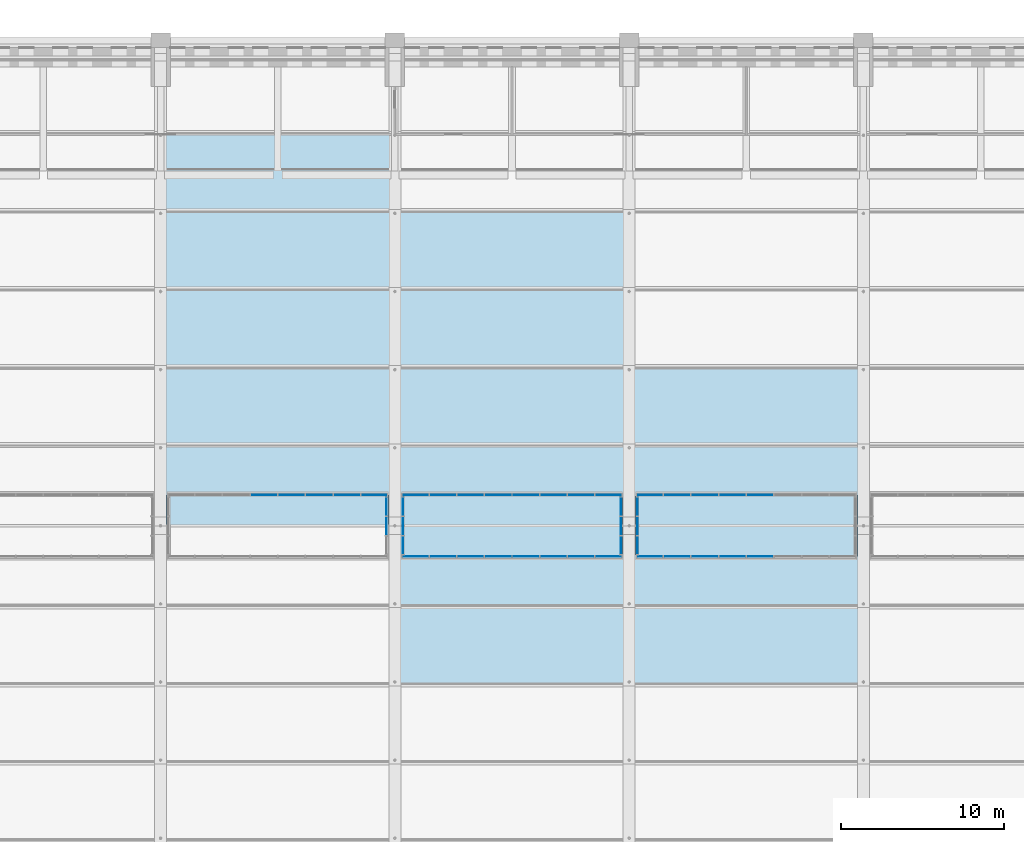
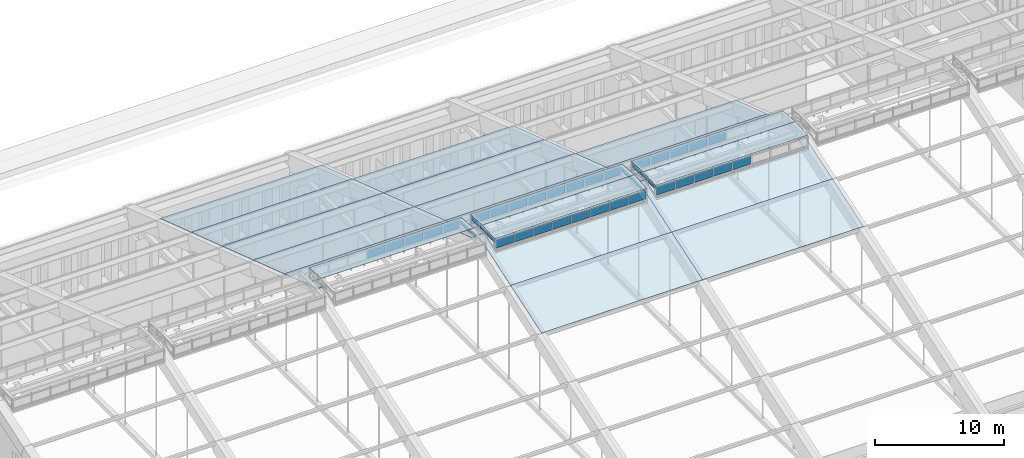
# One storey, part 113 of 149: 47 plates, 15 slabs, 9 elements without a shape of their own.
"""IFC4 building model written with IfcOpenShell, lengths in metres."""

import ifcopenshell
import ifcopenshell.guid

model = None  # the IFC model being written
_history = None  # IfcOwnerHistory: only IFC2X3 demands one
_inside = {}  # id of a spatial element -> (the spatial element, [elements in it])
_under = {}  # id of a project, library or spatial element -> (it, [spatial elements below it])
_declared = {}  # id of a project -> (the project, [libraries it declares])
_typed = {}  # id of a type object -> (the type object, [elements of that type])
_made_of = {}  # id of a material, layer set ... -> (it, [elements and type objects made of it])


def new_model(schema):
    """Start an empty IFC model of exactly this schema.

    Asked for "IFC4X3", IfcOpenShell would pick the latest addendum, in which some entities
    have other attributes; the version numbers below select the first issue.
    IFC2X3 requires an IfcOwnerHistory on every rooted entity: one is made here for all.
    """
    global model, _history
    if schema == "IFC4X3":
        model = ifcopenshell.file(schema_version=(4, 3, 0, 0))
    else:
        model = ifcopenshell.file(schema=schema)
    _inside.clear()
    _under.clear()
    _declared.clear()
    _typed.clear()
    _made_of.clear()
    _history = None
    if model.schema == "IFC2X3":
        org = make("IfcOrganization", Name="unknown")
        user = make(
            "IfcPersonAndOrganization",
            ThePerson=make("IfcPerson", FamilyName="unknown"),
            TheOrganization=org,
        )
        app = make(
            "IfcApplication",
            ApplicationDeveloper=org,
            Version="unknown",
            ApplicationFullName="unknown",
            ApplicationIdentifier="unknown",
        )
        _history = make(
            "IfcOwnerHistory",
            OwningUser=user,
            OwningApplication=app,
            ChangeAction="ADDED",
            CreationDate=0,
        )
    return model


def make(cls, **values):
    """One entity of the class cls with the attributes given. An attribute that is None is left unset."""
    return model.create_entity(
        cls, **{name: value for name, value in values.items() if value is not None}
    )


def rooted(cls, **values):
    """An entity with a GlobalId (a new one), such as an element, a storey or a relation."""
    return make(cls, GlobalId=ifcopenshell.guid.new(), OwnerHistory=_history, **values)


def si_unit(unit_type, name, prefix=None):
    """IfcSIUnit, for example si_unit("LENGTHUNIT", "METRE", prefix="MILLI")."""
    return make("IfcSIUnit", UnitType=unit_type, Prefix=prefix, Name=name)


def assignment(units):
    """IfcUnitAssignment: the units of a project."""
    return None if units is None else make("IfcUnitAssignment", Units=units)


def point(xyz):
    """IfcCartesianPoint."""
    return None if xyz is None else make("IfcCartesianPoint", Coordinates=xyz)


def direction(xyz):
    """IfcDirection."""
    return None if xyz is None else make("IfcDirection", DirectionRatios=xyz)


def frame(location, z_axis=None, x_axis=None):
    """IfcAxis2Placement3D, a coordinate frame: its origin and axes. An axis left out is left unset."""
    return make(
        "IfcAxis2Placement3D",
        Location=point(location),
        Axis=direction(z_axis),
        RefDirection=direction(x_axis),
    )


def frame_2d(location, x_axis=None):
    """IfcAxis2Placement2D, a coordinate frame in the plane: its origin and x axis."""
    return make(
        "IfcAxis2Placement2D", Location=point(location), RefDirection=direction(x_axis)
    )


def origin():
    """The frame at (0, 0, 0) with its axes left unset."""
    return frame((0.0, 0.0, 0.0))


def origin_2d():
    """The frame at (0, 0) in the plane with its x axis left unset."""
    return frame_2d((0.0, 0.0))


def place(relative_to, where):
    """IfcLocalPlacement: puts the frame where relative to a parent placement (None: the world)."""
    return make(
        "IfcLocalPlacement", PlacementRelTo=relative_to, RelativePlacement=where
    )


def context(
    kind, dimensions, precision=None, world=None, true_north=None, identifier=None
):
    """IfcGeometricRepresentationContext, for example the 3D "Model" context."""
    return make(
        "IfcGeometricRepresentationContext",
        ContextIdentifier=identifier,
        ContextType=kind,
        CoordinateSpaceDimension=dimensions,
        Precision=precision,
        WorldCoordinateSystem=world,
        TrueNorth=true_north,
    )


def subcontext(parent, identifier, kind, view, scale=None):
    """IfcGeometricRepresentationSubContext, for example "Body" below "Model"."""
    return make(
        "IfcGeometricRepresentationSubContext",
        ContextIdentifier=identifier,
        ContextType=kind,
        ParentContext=parent,
        TargetScale=scale,
        TargetView=view,
    )


def project(units=None, contexts=None):
    """IfcProject with its units and contexts."""
    return rooted(
        "IfcProject",
        Name="project",
        RepresentationContexts=contexts,
        UnitsInContext=assignment(units),
    )


def spatial(cls, under=None, at=None, **own):
    """A site, building, storey or space (cls), placed at a placement, below another one or the project."""
    s = rooted(cls, ObjectPlacement=at, **own)
    if under is not None:
        _under.setdefault(under.id(), (under, []))[1].append(s)
    return s


def polyline(points):
    """IfcPolyline through the points."""
    return make("IfcPolyline", Points=[point(p) for p in points])


def profile(cls, at=None, kind="AREA", **sizes):
    """A parametric profile (cls). Its sizes go by their IFC names, for example OverallWidth=200.0."""
    return make(cls, ProfileType=kind, Position=at, **sizes)


def rectangle(**sizes):
    """IfcRectangleProfileDef."""
    return profile("IfcRectangleProfileDef", **sizes)


def outline(outer, holes=None, kind="AREA"):
    """IfcArbitraryClosedProfileDef: a profile drawn as a closed curve; with holes, ...WithVoids."""
    if holes is None:
        return make("IfcArbitraryClosedProfileDef", ProfileType=kind, OuterCurve=outer)
    return make(
        "IfcArbitraryProfileDefWithVoids",
        ProfileType=kind,
        OuterCurve=outer,
        InnerCurves=holes,
    )


def extrude(swept, where, along, depth):
    """IfcExtrudedAreaSolid: the profile swept, set in the frame where, extruded along a direction by depth."""
    return make(
        "IfcExtrudedAreaSolid",
        SweptArea=swept,
        Position=where,
        ExtrudedDirection=direction(along),
        Depth=depth,
    )


def shape(context_of_items, identifier, shape_type, items):
    """IfcShapeRepresentation: the items that make up one representation, for example the "Body"."""
    return make(
        "IfcShapeRepresentation",
        ContextOfItems=context_of_items,
        RepresentationIdentifier=identifier,
        RepresentationType=shape_type,
        Items=items,
    )


def material(Name=None, Category=None):
    """IfcMaterial."""
    return make("IfcMaterial", Name=Name, Category=Category)


def layer(
    of_material, thickness, ventilated=None, Name=None, Category=None, Priority=None
):
    """IfcMaterialLayer: one layer of a wall or slab, of a material (None: an air gap)."""
    return make(
        "IfcMaterialLayer",
        Material=of_material,
        LayerThickness=thickness,
        IsVentilated=ventilated,
        Name=Name,
        Category=Category,
        Priority=Priority,
    )


def layer_set(layers, Name=None):
    """IfcMaterialLayerSet."""
    return make("IfcMaterialLayerSet", MaterialLayers=layers, LayerSetName=Name)


def made_of(thing, what):
    """Note that an element or type object is made of a material, layer set ...; save() writes the relation."""
    if what is not None:
        _made_of.setdefault(what.id(), (what, []))[1].append(thing)
    return thing


def type_object(cls, material=None, **own):
    """A type object (cls), such as IfcWallType, which elements share."""
    return made_of(rooted(cls, **own), material)


def element(
    cls,
    number,
    at=None,
    inside=None,
    cuts=None,
    type_object=None,
    material=None,
    context=None,
    identifier="Body",
    shape_type=None,
    held_by="IfcProductDefinitionShape",
    body=None,
    shapes=None,
    **own,
):
    """One element of the class cls, such as IfcWall. Its Tag is "e" and its number.

    at: its placement. inside: the storey or other place that contains it. cuts: it is an
    opening in that element (IfcRelVoidsElement). A single representation is given by context,
    identifier, shape_type and body (its items); several are given by shapes. held_by: the class
    of the entity that holds the representations. save() writes the other relations.
    """
    e = rooted(cls, Tag="e%d" % number, ObjectPlacement=at, **own)
    if body is not None:
        shapes = [shape(context, identifier, shape_type, body)]
    if shapes is not None:
        e.Representation = make(held_by, Representations=shapes)
    if inside is not None:
        _inside.setdefault(inside.id(), (inside, []))[1].append(e)
    if cuts is not None:
        rooted(
            "IfcRelVoidsElement", RelatingBuildingElement=cuts, RelatedOpeningElement=e
        )
    if type_object is not None:
        _typed.setdefault(type_object.id(), (type_object, []))[1].append(e)
    return made_of(e, material)


def aggregate(whole, parts):
    """IfcRelAggregates: a whole, such as a stair, and the parts it consists of."""
    return rooted("IfcRelAggregates", RelatingObject=whole, RelatedObjects=parts)


def save(model, path):
    """Write the relations noted so far, then the file.

    IfcRelAggregates (storeys below a building ...), IfcRelContainedInSpatialStructure (elements
    in a storey), IfcRelDefinesByType, IfcRelAssociatesMaterial and IfcRelDeclares: one each for
    every whole, place, type object, material and project.
    """
    for whole, parts in _under.values():
        aggregate(whole, parts)
    for where, things in _inside.values():
        rooted(
            "IfcRelContainedInSpatialStructure",
            RelatedElements=things,
            RelatingStructure=where,
        )
    for kind, things in _typed.values():
        rooted("IfcRelDefinesByType", RelatedObjects=things, RelatingType=kind)
    for what, things in _made_of.values():
        rooted("IfcRelAssociatesMaterial", RelatedObjects=things, RelatingMaterial=what)
    for by, libraries in _declared.values():
        rooted("IfcRelDeclares", RelatingContext=by, RelatedDefinitions=libraries)
    model.write(path)


model = new_model("IFC4")

# Units and contexts
model_context = context("Model", 3, precision=1e-05, world=origin(), true_north=direction((0.0, 1.0)))
body_context = subcontext(model_context, "Body", "Model", "MODEL_VIEW")
ifc_project = project(units=[si_unit("LENGTHUNIT", "METRE"), si_unit("AREAUNIT", "SQUARE_METRE"), si_unit("VOLUMEUNIT", "CUBIC_METRE"), si_unit("PLANEANGLEUNIT", "RADIAN"), si_unit("MASSUNIT", "GRAM", prefix="KILO")], contexts=[model_context])

# Site, building, storey
site_placement = place(None, origin())
site = spatial("IfcSite", under=ifc_project, at=site_placement, CompositionType="ELEMENT")
building_placement = place(site_placement, origin())
building = spatial("IfcBuilding", under=site, at=building_placement, Name="Alderwick Market Hall", CompositionType="ELEMENT")
storey_placement = place(building_placement, frame((0.0, 0.0, 9.60009765625)))
storey = spatial("IfcBuildingStorey", under=building, at=storey_placement, Name="L01", CompositionType="ELEMENT", Elevation=9.60009765625)

# Curtain wall, plates
ifc_material_1 = material(Name="Aluminium", Category="aluminium")
curtain_wall_type = type_object("IfcCurtainWallType", Name="R Curtain Wall Frame", PredefinedType="NOTDEFINED", material=ifc_material_1)
curtain_wall_1_placement = place(storey_placement, origin())
curtain_wall_1 = element("IfcCurtainWall", 1, at=curtain_wall_1_placement, inside=storey, type_object=curtain_wall_type, Name="Curtain wall LCW N3", PredefinedType="NOTDEFINED")
ifc_material_2 = material(Name="Glass 8+8 mm PVB interlayer", Category="glass")
ifc_layer_1 = layer(ifc_material_2, 0.028076171875)
ifc_layer_set_1 = layer_set([ifc_layer_1], Name="Glass 8+8 mm PVB interlayer")
plate_type_1 = type_object("IfcPlateType", Name="R CW Panel IGU 28", PredefinedType="CURTAIN_PANEL", material=ifc_layer_set_1)
plate_1_placement = place(storey_placement, frame((85.550048828125, 81.10009765625, 16.7900390625), z_axis=(0.0, 0.0, 1.0), x_axis=(1.0, 0.0, 0.0)))
plate_1 = element("IfcPlate", 2, at=plate_1_placement, type_object=plate_type_1, Name="LCW N3 panel 4.1", PredefinedType="CURTAIN_PANEL", context=body_context, shape_type="SweptSolid", body=[
    extrude(rectangle(XDim=1.639892578125, YDim=0.028076171875, at=origin_2d()), origin(), (0.0, 0.0, 1.0), 0.789794921875),
])
plate_2_placement = place(storey_placement, frame((87.25, 81.10009765625, 16.7900390625), z_axis=(0.0, 0.0, 1.0), x_axis=(1.0, 0.0, 0.0)))
plate_2 = element("IfcPlate", 3, at=plate_2_placement, type_object=plate_type_1, Name="LCW N3 panel 5.1", PredefinedType="CURTAIN_PANEL", context=body_context, shape_type="SweptSolid", body=[
    extrude(rectangle(XDim=1.639892578125, YDim=0.028076171875, at=origin_2d()), origin(), (0.0, 0.0, 1.0), 0.789794921875),
])
plate_3_placement = place(storey_placement, frame((88.949951171875, 81.10009765625, 16.7900390625), z_axis=(0.0, 0.0, 1.0), x_axis=(1.0, 0.0, 0.0)))
plate_3 = element("IfcPlate", 4, at=plate_3_placement, type_object=plate_type_1, Name="LCW N3 panel 6.1", PredefinedType="CURTAIN_PANEL", context=body_context, shape_type="SweptSolid", body=[
    extrude(rectangle(XDim=1.639892578125, YDim=0.028076171875, at=origin_2d()), origin(), (0.0, 0.0, 1.0), 0.789794921875),
])
plate_4_placement = place(storey_placement, frame((90.64990234375, 81.10009765625, 16.7900390625), z_axis=(0.0, 0.0, 1.0), x_axis=(1.0, 0.0, 0.0)))
plate_4 = element("IfcPlate", 5, at=plate_4_placement, type_object=plate_type_1, Name="LCW N3 panel 7.1", PredefinedType="CURTAIN_PANEL", context=body_context, shape_type="SweptSolid", body=[
    extrude(rectangle(XDim=1.639892578125, YDim=0.028076171875, at=origin_2d()), origin(), (0.0, 0.0, 1.0), 0.789794921875),
])
plate_5_placement = place(storey_placement, frame((92.3349609375, 81.10009765625, 16.7900390625), z_axis=(0.0, 0.0, 1.0), x_axis=(1.0, 0.0, 0.0)))
plate_5 = element("IfcPlate", 6, at=plate_5_placement, type_object=plate_type_1, Name="LCW N3 panel 8.1", PredefinedType="CURTAIN_PANEL", context=body_context, shape_type="SweptSolid", body=[
    extrude(rectangle(XDim=1.610107421875, YDim=0.028076171875, at=origin_2d()), origin(), (0.0, 0.0, 1.0), 0.789794921875),
])

curtain_wall_2_placement = place(storey_placement, origin())
curtain_wall_2 = element("IfcCurtainWall", 7, at=curtain_wall_2_placement, inside=storey, type_object=curtain_wall_type, Name="Curtain wall LCW E3", PredefinedType="NOTDEFINED")
plate_6_placement = place(storey_placement, frame((93.10009765625, 79.199951171875, 17.2333984375), z_axis=(0.0, 0.0, 1.0), x_axis=(1.0, 0.0, 0.0)))
plate_6 = element("IfcPlate", 8, at=plate_6_placement, type_object=plate_type_1, Name="LCW E3 panel 2.1", PredefinedType="CURTAIN_PANEL", context=body_context, shape_type="SweptSolid", body=[
    extrude(rectangle(XDim=0.028076171875, YDim=1.139892578125, at=origin_2d()), origin(), (0.0, 0.0, 1.0), 0.346435546875),
])
plate_7_placement = place(storey_placement, frame((93.10009765625, 80.385009765625, 17.21337890625), z_axis=(0.0, 0.0, 1.0), x_axis=(1.0, 0.0, 0.0)))
plate_7 = element("IfcPlate", 9, at=plate_7_placement, type_object=plate_type_1, Name="LCW E3 panel 3.1", PredefinedType="CURTAIN_PANEL", context=body_context, shape_type="SweptSolid", body=[
    extrude(rectangle(XDim=0.028076171875, YDim=1.110107421875, at=origin_2d()), origin(), (0.0, 0.0, 1.0), 0.366455078125),
])
aggregate(curtain_wall_2, [plate_6, plate_7])

curtain_wall_3_placement = place(storey_placement, origin())
curtain_wall_3 = element("IfcCurtainWall", 10, at=curtain_wall_3_placement, inside=storey, type_object=curtain_wall_type, Name="Curtain wall LCW S4", PredefinedType="NOTDEFINED")
plate_8_placement = place(storey_placement, frame((94.864990234375, 77.300048828125, 16.7900390625), z_axis=(0.0, 0.0, 1.0), x_axis=(1.0, 0.0, 0.0)))
plate_8 = element("IfcPlate", 11, at=plate_8_placement, type_object=plate_type_1, Name="LCW S4 panel 1.1", PredefinedType="CURTAIN_PANEL", context=body_context, shape_type="SweptSolid", body=[
    extrude(rectangle(XDim=1.610107421875, YDim=0.028076171875, at=origin_2d()), origin(), (0.0, 0.0, 1.0), 0.789794921875),
])
plate_9_placement = place(storey_placement, frame((96.550048828125, 77.300048828125, 16.7900390625), z_axis=(0.0, 0.0, 1.0), x_axis=(1.0, 0.0, 0.0)))
plate_9 = element("IfcPlate", 12, at=plate_9_placement, type_object=plate_type_1, Name="LCW S4 panel 2.1", PredefinedType="CURTAIN_PANEL", context=body_context, shape_type="SweptSolid", body=[
    extrude(rectangle(XDim=1.639892578125, YDim=0.028076171875, at=origin_2d()), origin(), (0.0, 0.0, 1.0), 0.789794921875),
])
plate_10_placement = place(storey_placement, frame((98.25, 77.300048828125, 16.7900390625), z_axis=(0.0, 0.0, 1.0), x_axis=(1.0, 0.0, 0.0)))
plate_10 = element("IfcPlate", 13, at=plate_10_placement, type_object=plate_type_1, Name="LCW S4 panel 3.1", PredefinedType="CURTAIN_PANEL", context=body_context, shape_type="SweptSolid", body=[
    extrude(rectangle(XDim=1.639892578125, YDim=0.028076171875, at=origin_2d()), origin(), (0.0, 0.0, 1.0), 0.789794921875),
])
plate_11_placement = place(storey_placement, frame((99.949951171875, 77.300048828125, 16.7900390625), z_axis=(0.0, 0.0, 1.0), x_axis=(1.0, 0.0, 0.0)))
plate_11 = element("IfcPlate", 14, at=plate_11_placement, type_object=plate_type_1, Name="LCW S4 panel 4.1", PredefinedType="CURTAIN_PANEL", context=body_context, shape_type="SweptSolid", body=[
    extrude(rectangle(XDim=1.639892578125, YDim=0.028076171875, at=origin_2d()), origin(), (0.0, 0.0, 1.0), 0.789794921875),
])
plate_12_placement = place(storey_placement, frame((101.64990234375, 77.300048828125, 16.7900390625), z_axis=(0.0, 0.0, 1.0), x_axis=(1.0, 0.0, 0.0)))
plate_12 = element("IfcPlate", 15, at=plate_12_placement, type_object=plate_type_1, Name="LCW S4 panel 5.1", PredefinedType="CURTAIN_PANEL", context=body_context, shape_type="SweptSolid", body=[
    extrude(rectangle(XDim=1.639892578125, YDim=0.028076171875, at=origin_2d()), origin(), (0.0, 0.0, 1.0), 0.789794921875),
])
plate_13_placement = place(storey_placement, frame((103.35009765625, 77.300048828125, 16.7900390625), z_axis=(0.0, 0.0, 1.0), x_axis=(1.0, 0.0, 0.0)))
plate_13 = element("IfcPlate", 16, at=plate_13_placement, type_object=plate_type_1, Name="LCW S4 panel 6.1", PredefinedType="CURTAIN_PANEL", context=body_context, shape_type="SweptSolid", body=[
    extrude(rectangle(XDim=1.639892578125, YDim=0.028076171875, at=origin_2d()), origin(), (0.0, 0.0, 1.0), 0.789794921875),
])
plate_14_placement = place(storey_placement, frame((105.050048828125, 77.300048828125, 16.7900390625), z_axis=(0.0, 0.0, 1.0), x_axis=(1.0, 0.0, 0.0)))
plate_14 = element("IfcPlate", 17, at=plate_14_placement, type_object=plate_type_1, Name="LCW S4 panel 7.1", PredefinedType="CURTAIN_PANEL", context=body_context, shape_type="SweptSolid", body=[
    extrude(rectangle(XDim=1.639892578125, YDim=0.028076171875, at=origin_2d()), origin(), (0.0, 0.0, 1.0), 0.789794921875),
])
plate_15_placement = place(storey_placement, frame((106.735107421875, 77.300048828125, 16.7900390625), z_axis=(0.0, 0.0, 1.0), x_axis=(1.0, 0.0, 0.0)))
plate_15 = element("IfcPlate", 18, at=plate_15_placement, type_object=plate_type_1, Name="LCW S4 panel 8.1", PredefinedType="CURTAIN_PANEL", context=body_context, shape_type="SweptSolid", body=[
    extrude(rectangle(XDim=1.610107421875, YDim=0.028076171875, at=origin_2d()), origin(), (0.0, 0.0, 1.0), 0.789794921875),
])

curtain_wall_4_placement = place(storey_placement, origin())
curtain_wall_4 = element("IfcCurtainWall", 19, at=curtain_wall_4_placement, inside=storey, type_object=curtain_wall_type, Name="Curtain wall LCW N4", PredefinedType="NOTDEFINED")
plate_16_placement = place(storey_placement, frame((94.864990234375, 81.10009765625, 16.7900390625), z_axis=(0.0, 0.0, 1.0), x_axis=(1.0, 0.0, 0.0)))
plate_16 = element("IfcPlate", 20, at=plate_16_placement, type_object=plate_type_1, Name="LCW N4 panel 1.1", PredefinedType="CURTAIN_PANEL", context=body_context, shape_type="SweptSolid", body=[
    extrude(rectangle(XDim=1.610107421875, YDim=0.028076171875, at=origin_2d()), origin(), (0.0, 0.0, 1.0), 0.789794921875),
])
plate_17_placement = place(storey_placement, frame((96.550048828125, 81.10009765625, 16.7900390625), z_axis=(0.0, 0.0, 1.0), x_axis=(1.0, 0.0, 0.0)))
plate_17 = element("IfcPlate", 21, at=plate_17_placement, type_object=plate_type_1, Name="LCW N4 panel 2.1", PredefinedType="CURTAIN_PANEL", context=body_context, shape_type="SweptSolid", body=[
    extrude(rectangle(XDim=1.639892578125, YDim=0.028076171875, at=origin_2d()), origin(), (0.0, 0.0, 1.0), 0.789794921875),
])
plate_18_placement = place(storey_placement, frame((98.25, 81.10009765625, 16.7900390625), z_axis=(0.0, 0.0, 1.0), x_axis=(1.0, 0.0, 0.0)))
plate_18 = element("IfcPlate", 22, at=plate_18_placement, type_object=plate_type_1, Name="LCW N4 panel 3.1", PredefinedType="CURTAIN_PANEL", context=body_context, shape_type="SweptSolid", body=[
    extrude(rectangle(XDim=1.639892578125, YDim=0.028076171875, at=origin_2d()), origin(), (0.0, 0.0, 1.0), 0.789794921875),
])
plate_19_placement = place(storey_placement, frame((99.949951171875, 81.10009765625, 16.7900390625), z_axis=(0.0, 0.0, 1.0), x_axis=(1.0, 0.0, 0.0)))
plate_19 = element("IfcPlate", 23, at=plate_19_placement, type_object=plate_type_1, Name="LCW N4 panel 4.1", PredefinedType="CURTAIN_PANEL", context=body_context, shape_type="SweptSolid", body=[
    extrude(rectangle(XDim=1.639892578125, YDim=0.028076171875, at=origin_2d()), origin(), (0.0, 0.0, 1.0), 0.789794921875),
])
plate_20_placement = place(storey_placement, frame((101.64990234375, 81.10009765625, 16.7900390625), z_axis=(0.0, 0.0, 1.0), x_axis=(1.0, 0.0, 0.0)))
plate_20 = element("IfcPlate", 24, at=plate_20_placement, type_object=plate_type_1, Name="LCW N4 panel 5.1", PredefinedType="CURTAIN_PANEL", context=body_context, shape_type="SweptSolid", body=[
    extrude(rectangle(XDim=1.639892578125, YDim=0.028076171875, at=origin_2d()), origin(), (0.0, 0.0, 1.0), 0.789794921875),
])
plate_21_placement = place(storey_placement, frame((103.35009765625, 81.10009765625, 16.7900390625), z_axis=(0.0, 0.0, 1.0), x_axis=(1.0, 0.0, 0.0)))
plate_21 = element("IfcPlate", 25, at=plate_21_placement, type_object=plate_type_1, Name="LCW N4 panel 6.1", PredefinedType="CURTAIN_PANEL", context=body_context, shape_type="SweptSolid", body=[
    extrude(rectangle(XDim=1.639892578125, YDim=0.028076171875, at=origin_2d()), origin(), (0.0, 0.0, 1.0), 0.789794921875),
])
plate_22_placement = place(storey_placement, frame((105.050048828125, 81.10009765625, 16.7900390625), z_axis=(0.0, 0.0, 1.0), x_axis=(1.0, 0.0, 0.0)))
plate_22 = element("IfcPlate", 26, at=plate_22_placement, type_object=plate_type_1, Name="LCW N4 panel 7.1", PredefinedType="CURTAIN_PANEL", context=body_context, shape_type="SweptSolid", body=[
    extrude(rectangle(XDim=1.639892578125, YDim=0.028076171875, at=origin_2d()), origin(), (0.0, 0.0, 1.0), 0.789794921875),
])
plate_23_placement = place(storey_placement, frame((106.735107421875, 81.10009765625, 16.7900390625), z_axis=(0.0, 0.0, 1.0), x_axis=(1.0, 0.0, 0.0)))
plate_23 = element("IfcPlate", 27, at=plate_23_placement, type_object=plate_type_1, Name="LCW N4 panel 8.1", PredefinedType="CURTAIN_PANEL", context=body_context, shape_type="SweptSolid", body=[
    extrude(rectangle(XDim=1.610107421875, YDim=0.028076171875, at=origin_2d()), origin(), (0.0, 0.0, 1.0), 0.789794921875),
])

curtain_wall_5_placement = place(storey_placement, origin())
curtain_wall_5 = element("IfcCurtainWall", 28, at=curtain_wall_5_placement, inside=storey, type_object=curtain_wall_type, Name="Curtain wall LCW W4", PredefinedType="NOTDEFINED")
plate_24_placement = place(storey_placement, frame((94.10009765625, 78.014892578125, 17.21337890625), z_axis=(0.0, 0.0, 1.0), x_axis=(1.0, 0.0, 0.0)))
plate_24 = element("IfcPlate", 29, at=plate_24_placement, type_object=plate_type_1, Name="LCW W4 panel 1.1", PredefinedType="CURTAIN_PANEL", context=body_context, shape_type="SweptSolid", body=[
    extrude(rectangle(XDim=0.028076171875, YDim=1.110107421875, at=origin_2d()), origin(), (0.0, 0.0, 1.0), 0.366455078125),
])
plate_25_placement = place(storey_placement, frame((94.10009765625, 79.199951171875, 17.2333984375), z_axis=(0.0, 0.0, 1.0), x_axis=(1.0, 0.0, 0.0)))
plate_25 = element("IfcPlate", 30, at=plate_25_placement, type_object=plate_type_1, Name="LCW W4 panel 2.1", PredefinedType="CURTAIN_PANEL", context=body_context, shape_type="SweptSolid", body=[
    extrude(rectangle(XDim=0.028076171875, YDim=1.139892578125, at=origin_2d()), origin(), (0.0, 0.0, 1.0), 0.346435546875),
])
plate_26_placement = place(storey_placement, frame((94.10009765625, 80.385009765625, 17.21337890625), z_axis=(0.0, 0.0, 1.0), x_axis=(1.0, 0.0, 0.0)))
plate_26 = element("IfcPlate", 31, at=plate_26_placement, type_object=plate_type_1, Name="LCW W4 panel 3.1", PredefinedType="CURTAIN_PANEL", context=body_context, shape_type="SweptSolid", body=[
    extrude(rectangle(XDim=0.028076171875, YDim=1.110107421875, at=origin_2d()), origin(), (0.0, 0.0, 1.0), 0.366455078125),
])
aggregate(curtain_wall_5, [plate_24, plate_25, plate_26])

curtain_wall_6_placement = place(storey_placement, origin())
curtain_wall_6 = element("IfcCurtainWall", 32, at=curtain_wall_6_placement, inside=storey, type_object=curtain_wall_type, Name="Curtain wall LCW E4", PredefinedType="NOTDEFINED")
plate_27_placement = place(storey_placement, frame((107.5, 78.014892578125, 17.21337890625), z_axis=(0.0, 0.0, 1.0), x_axis=(1.0, 0.0, 0.0)))
plate_27 = element("IfcPlate", 33, at=plate_27_placement, type_object=plate_type_1, Name="LCW E4 panel 1.1", PredefinedType="CURTAIN_PANEL", context=body_context, shape_type="SweptSolid", body=[
    extrude(rectangle(XDim=0.028076171875, YDim=1.110107421875, at=origin_2d()), origin(), (0.0, 0.0, 1.0), 0.366455078125),
])
plate_28_placement = place(storey_placement, frame((107.5, 79.199951171875, 17.2333984375), z_axis=(0.0, 0.0, 1.0), x_axis=(1.0, 0.0, 0.0)))
plate_28 = element("IfcPlate", 34, at=plate_28_placement, type_object=plate_type_1, Name="LCW E4 panel 2.1", PredefinedType="CURTAIN_PANEL", context=body_context, shape_type="SweptSolid", body=[
    extrude(rectangle(XDim=0.028076171875, YDim=1.139892578125, at=origin_2d()), origin(), (0.0, 0.0, 1.0), 0.346435546875),
])
plate_29_placement = place(storey_placement, frame((107.5, 80.385009765625, 17.21337890625), z_axis=(0.0, 0.0, 1.0), x_axis=(1.0, 0.0, 0.0)))
plate_29 = element("IfcPlate", 35, at=plate_29_placement, type_object=plate_type_1, Name="LCW E4 panel 3.1", PredefinedType="CURTAIN_PANEL", context=body_context, shape_type="SweptSolid", body=[
    extrude(rectangle(XDim=0.028076171875, YDim=1.110107421875, at=origin_2d()), origin(), (0.0, 0.0, 1.0), 0.366455078125),
])
aggregate(curtain_wall_6, [plate_27, plate_28, plate_29])

curtain_wall_7_placement = place(storey_placement, origin())
curtain_wall_7 = element("IfcCurtainWall", 36, at=curtain_wall_7_placement, inside=storey, type_object=curtain_wall_type, Name="Curtain wall LCW S5", PredefinedType="NOTDEFINED")
plate_30_placement = place(storey_placement, frame((109.264892578125, 77.300048828125, 16.7900390625), z_axis=(0.0, 0.0, 1.0), x_axis=(1.0, 0.0, 0.0)))
plate_30 = element("IfcPlate", 37, at=plate_30_placement, type_object=plate_type_1, Name="LCW S5 panel 1.1", PredefinedType="CURTAIN_PANEL", context=body_context, shape_type="SweptSolid", body=[
    extrude(rectangle(XDim=1.610107421875, YDim=0.028076171875, at=origin_2d()), origin(), (0.0, 0.0, 1.0), 0.789794921875),
])
plate_31_placement = place(storey_placement, frame((110.949951171875, 77.300048828125, 16.7900390625), z_axis=(0.0, 0.0, 1.0), x_axis=(1.0, 0.0, 0.0)))
plate_31 = element("IfcPlate", 38, at=plate_31_placement, type_object=plate_type_1, Name="LCW S5 panel 2.1", PredefinedType="CURTAIN_PANEL", context=body_context, shape_type="SweptSolid", body=[
    extrude(rectangle(XDim=1.639892578125, YDim=0.028076171875, at=origin_2d()), origin(), (0.0, 0.0, 1.0), 0.789794921875),
])
plate_32_placement = place(storey_placement, frame((112.64990234375, 77.300048828125, 16.7900390625), z_axis=(0.0, 0.0, 1.0), x_axis=(1.0, 0.0, 0.0)))
plate_32 = element("IfcPlate", 39, at=plate_32_placement, type_object=plate_type_1, Name="LCW S5 panel 3.1", PredefinedType="CURTAIN_PANEL", context=body_context, shape_type="SweptSolid", body=[
    extrude(rectangle(XDim=1.639892578125, YDim=0.028076171875, at=origin_2d()), origin(), (0.0, 0.0, 1.0), 0.789794921875),
])
plate_33_placement = place(storey_placement, frame((114.35009765625, 77.300048828125, 16.7900390625), z_axis=(0.0, 0.0, 1.0), x_axis=(1.0, 0.0, 0.0)))
plate_33 = element("IfcPlate", 40, at=plate_33_placement, type_object=plate_type_1, Name="LCW S5 panel 4.1", PredefinedType="CURTAIN_PANEL", context=body_context, shape_type="SweptSolid", body=[
    extrude(rectangle(XDim=1.639892578125, YDim=0.028076171875, at=origin_2d()), origin(), (0.0, 0.0, 1.0), 0.789794921875),
])
plate_34_placement = place(storey_placement, frame((116.050048828125, 77.300048828125, 16.7900390625), z_axis=(0.0, 0.0, 1.0), x_axis=(1.0, 0.0, 0.0)))
plate_34 = element("IfcPlate", 41, at=plate_34_placement, type_object=plate_type_1, Name="LCW S5 panel 5.1", PredefinedType="CURTAIN_PANEL", context=body_context, shape_type="SweptSolid", body=[
    extrude(rectangle(XDim=1.639892578125, YDim=0.028076171875, at=origin_2d()), origin(), (0.0, 0.0, 1.0), 0.789794921875),
])

curtain_wall_8_placement = place(storey_placement, origin())
curtain_wall_8 = element("IfcCurtainWall", 42, at=curtain_wall_8_placement, inside=storey, type_object=curtain_wall_type, Name="Curtain wall LCW N5", PredefinedType="NOTDEFINED")
plate_35_placement = place(storey_placement, frame((109.264892578125, 81.10009765625, 16.7900390625), z_axis=(0.0, 0.0, 1.0), x_axis=(1.0, 0.0, 0.0)))
plate_35 = element("IfcPlate", 43, at=plate_35_placement, type_object=plate_type_1, Name="LCW N5 panel 1.1", PredefinedType="CURTAIN_PANEL", context=body_context, shape_type="SweptSolid", body=[
    extrude(rectangle(XDim=1.610107421875, YDim=0.028076171875, at=origin_2d()), origin(), (0.0, 0.0, 1.0), 0.789794921875),
])
plate_36_placement = place(storey_placement, frame((110.949951171875, 81.10009765625, 16.7900390625), z_axis=(0.0, 0.0, 1.0), x_axis=(1.0, 0.0, 0.0)))
plate_36 = element("IfcPlate", 44, at=plate_36_placement, type_object=plate_type_1, Name="LCW N5 panel 2.1", PredefinedType="CURTAIN_PANEL", context=body_context, shape_type="SweptSolid", body=[
    extrude(rectangle(XDim=1.639892578125, YDim=0.028076171875, at=origin_2d()), origin(), (0.0, 0.0, 1.0), 0.789794921875),
])
plate_37_placement = place(storey_placement, frame((112.64990234375, 81.10009765625, 16.7900390625), z_axis=(0.0, 0.0, 1.0), x_axis=(1.0, 0.0, 0.0)))
plate_37 = element("IfcPlate", 45, at=plate_37_placement, type_object=plate_type_1, Name="LCW N5 panel 3.1", PredefinedType="CURTAIN_PANEL", context=body_context, shape_type="SweptSolid", body=[
    extrude(rectangle(XDim=1.639892578125, YDim=0.028076171875, at=origin_2d()), origin(), (0.0, 0.0, 1.0), 0.789794921875),
])
plate_38_placement = place(storey_placement, frame((114.35009765625, 81.10009765625, 16.7900390625), z_axis=(0.0, 0.0, 1.0), x_axis=(1.0, 0.0, 0.0)))
plate_38 = element("IfcPlate", 46, at=plate_38_placement, type_object=plate_type_1, Name="LCW N5 panel 4.1", PredefinedType="CURTAIN_PANEL", context=body_context, shape_type="SweptSolid", body=[
    extrude(rectangle(XDim=1.639892578125, YDim=0.028076171875, at=origin_2d()), origin(), (0.0, 0.0, 1.0), 0.789794921875),
])
plate_39_placement = place(storey_placement, frame((116.050048828125, 81.10009765625, 16.7900390625), z_axis=(0.0, 0.0, 1.0), x_axis=(1.0, 0.0, 0.0)))
plate_39 = element("IfcPlate", 47, at=plate_39_placement, type_object=plate_type_1, Name="LCW N5 panel 5.1", PredefinedType="CURTAIN_PANEL", context=body_context, shape_type="SweptSolid", body=[
    extrude(rectangle(XDim=1.639892578125, YDim=0.028076171875, at=origin_2d()), origin(), (0.0, 0.0, 1.0), 0.789794921875),
])

curtain_wall_9_placement = place(storey_placement, origin())
curtain_wall_9 = element("IfcCurtainWall", 48, at=curtain_wall_9_placement, inside=storey, type_object=curtain_wall_type, Name="Curtain wall LCW W5", PredefinedType="NOTDEFINED")
plate_40_placement = place(storey_placement, frame((108.5, 78.014892578125, 17.21337890625), z_axis=(0.0, 0.0, 1.0), x_axis=(1.0, 0.0, 0.0)))
plate_40 = element("IfcPlate", 49, at=plate_40_placement, type_object=plate_type_1, Name="LCW W5 panel 1.1", PredefinedType="CURTAIN_PANEL", context=body_context, shape_type="SweptSolid", body=[
    extrude(rectangle(XDim=0.028076171875, YDim=1.110107421875, at=origin_2d()), origin(), (0.0, 0.0, 1.0), 0.366455078125),
])
plate_41_placement = place(storey_placement, frame((108.5, 79.199951171875, 17.2333984375), z_axis=(0.0, 0.0, 1.0), x_axis=(1.0, 0.0, 0.0)))
plate_41 = element("IfcPlate", 50, at=plate_41_placement, type_object=plate_type_1, Name="LCW W5 panel 2.1", PredefinedType="CURTAIN_PANEL", context=body_context, shape_type="SweptSolid", body=[
    extrude(rectangle(XDim=0.028076171875, YDim=1.139892578125, at=origin_2d()), origin(), (0.0, 0.0, 1.0), 0.346435546875),
])
plate_42_placement = place(storey_placement, frame((108.5, 80.385009765625, 17.21337890625), z_axis=(0.0, 0.0, 1.0), x_axis=(1.0, 0.0, 0.0)))
plate_42 = element("IfcPlate", 51, at=plate_42_placement, type_object=plate_type_1, Name="LCW W5 panel 3.1", PredefinedType="CURTAIN_PANEL", context=body_context, shape_type="SweptSolid", body=[
    extrude(rectangle(XDim=0.028076171875, YDim=1.110107421875, at=origin_2d()), origin(), (0.0, 0.0, 1.0), 0.366455078125),
])
aggregate(curtain_wall_9, [plate_40, plate_41, plate_42])

# Plate
ifc_layer_2 = layer(ifc_material_2, 0.030029296875)
ifc_layer_set_2 = layer_set([ifc_layer_2], Name="Glass 8+8 mm PVB interlayer")
plate_type_2 = type_object("IfcPlateType", Name="R Lantern Glazing 30 mm", PredefinedType="CURTAIN_PANEL", material=ifc_layer_set_2)
plate_43_placement = place(storey_placement, frame((79.60009765625, 81.102294921875, 17.729736328125), z_axis=(0.0, 0.07355072696, 0.997291477234), x_axis=(1.0, 0.0, 0.0)))
plate_43 = element("IfcPlate", 52, at=plate_43_placement, type_object=plate_type_2, Name="Lantern glazed roof N3", PredefinedType="CURTAIN_PANEL", context=body_context, shape_type="SweptSolid", body=[
    extrude(outline(polyline([(0.0, 0.0), (13.599853515625, 0.0), (13.599853515625, -1.905307051901265), (0.0, -1.905307051901265), (0.0, 0.0)])), origin(), (0.0, 0.0, -1.0), 0.030029296875),
])

aggregate(curtain_wall_1, [plate_1, plate_2, plate_3, plate_4, plate_5, plate_43])

plate_44_placement = place(storey_placement, frame((94.0, 77.2978515625, 17.729736328125), z_axis=(0.0, -0.073560127213, 0.997290783916), x_axis=(1.0, 0.0, 0.0)))
plate_44 = element("IfcPlate", 53, at=plate_44_placement, type_object=plate_type_2, Name="Lantern glazed roof S4", PredefinedType="CURTAIN_PANEL", context=body_context, shape_type="SweptSolid", body=[
    extrude(outline(polyline([(0.0, 0.0), (13.60009765625, 0.0), (13.60009765625, 1.905063572621334), (0.0, 1.905063572621334), (0.0, 0.0)])), origin(), (0.0, 0.0, -1.0), 0.030029296875),
])

aggregate(curtain_wall_3, [plate_8, plate_9, plate_10, plate_11, plate_12, plate_13, plate_14, plate_15, plate_44])

plate_45_placement = place(storey_placement, frame((94.0, 81.102294921875, 17.729736328125), z_axis=(0.0, 0.07355072696, 0.997291477234), x_axis=(1.0, 0.0, 0.0)))
plate_45 = element("IfcPlate", 54, at=plate_45_placement, type_object=plate_type_2, Name="Lantern glazed roof N4", PredefinedType="CURTAIN_PANEL", context=body_context, shape_type="SweptSolid", body=[
    extrude(outline(polyline([(0.0, 0.0), (13.60009765625, 0.0), (13.60009765625, -1.905307051901265), (0.0, -1.905307051901265), (0.0, 0.0)])), origin(), (0.0, 0.0, -1.0), 0.030029296875),
])

aggregate(curtain_wall_4, [plate_16, plate_17, plate_18, plate_19, plate_20, plate_21, plate_22, plate_23, plate_45])

plate_46_placement = place(storey_placement, frame((108.39990234375, 77.2978515625, 17.729736328125), z_axis=(0.0, -0.073560127213, 0.997290783916), x_axis=(1.0, 0.0, 0.0)))
plate_46 = element("IfcPlate", 55, at=plate_46_placement, type_object=plate_type_2, Name="Lantern glazed roof S5", PredefinedType="CURTAIN_PANEL", context=body_context, shape_type="SweptSolid", body=[
    extrude(outline(polyline([(0.0, 0.0), (13.60009765625, 0.0), (13.60009765625, 1.905063572621334), (0.0, 1.905063572621334), (0.0, 0.0)])), origin(), (0.0, 0.0, -1.0), 0.030029296875),
])

aggregate(curtain_wall_7, [plate_30, plate_31, plate_32, plate_33, plate_34, plate_46])

plate_47_placement = place(storey_placement, frame((108.39990234375, 81.102294921875, 17.729736328125), z_axis=(0.0, 0.07355072696, 0.997291477234), x_axis=(1.0, 0.0, 0.0)))
plate_47 = element("IfcPlate", 56, at=plate_47_placement, type_object=plate_type_2, Name="Lantern glazed roof N5", PredefinedType="CURTAIN_PANEL", context=body_context, shape_type="SweptSolid", body=[
    extrude(outline(polyline([(0.0, 0.0), (13.60009765625, 0.0), (13.60009765625, -1.905307051901265), (0.0, -1.905307051901265), (0.0, 0.0)])), origin(), (0.0, 0.0, -1.0), 0.030029296875),
])

aggregate(curtain_wall_8, [plate_35, plate_36, plate_37, plate_38, plate_39, plate_47])

# Slabs
ifc_material_3 = material(Name="Steel ASTM A653 Grade 50 roof deck", Category="steel")
ifc_layer_3 = layer(ifc_material_3, 0.080078125)
ifc_layer_set_3 = layer_set([ifc_layer_3], Name="Steel ASTM A653 Grade 50 roof deck")
slab_type = type_object("IfcSlabType", Name="R Roof Deck 80 mm", PredefinedType="ROOF", material=ifc_layer_set_3)
slab_1_placement = place(storey_placement, frame((79.199951171875, 79.199951171875, 17.07470703125), z_axis=(0.0, 0.316246558579, 0.948677033656), x_axis=(1.0, 0.0, 0.0)))
element("IfcSlab", 57, at=slab_1_placement, inside=storey, type_object=slab_type, Name="Roof deck 3.7", PredefinedType="ROOF", context=body_context, shape_type="SweptSolid", body=[
    extrude(outline(polyline([(0.0, 0.0), (0.60009765625, 0.0), (0.60009765625, 1.924156397614041), (13.800048828125, 1.924156397614041), (13.800048828125, 0.0), (14.400146484375, 0.0), (14.400146484375, 5.3363435504871415), (0.0, 5.3363435504871415), (0.0, 0.0)])), origin(), (0.0, 0.0, -1.0), 0.080078125),
])
slab_2_placement = place(storey_placement, frame((79.199951171875, 84.262451171875, 15.38720703125), z_axis=(0.0, 0.316198814353, 0.948692948114), x_axis=(1.0, 0.0, 0.0)))
element("IfcSlab", 58, at=slab_2_placement, inside=storey, type_object=slab_type, Name="Roof deck 3.8", PredefinedType="ROOF", context=body_context, shape_type="SweptSolid", body=[
    extrude(outline(polyline([(0.0, 0.0), (14.400146484375, 0.0), (14.400146484375, 5.059644258625487), (0.0, 5.059644258625487), (0.0, 0.0)])), origin(), (0.0, 0.0, -1.0), 0.080078125),
])
slab_3_placement = place(storey_placement, frame((79.199951171875, 89.0625, 13.787353515625), z_axis=(0.0, 0.316242241517, 0.948678472761), x_axis=(1.0, 0.0, 0.0)))
element("IfcSlab", 59, at=slab_3_placement, inside=storey, type_object=slab_type, Name="Roof deck 3.9", PredefinedType="ROOF", context=body_context, shape_type="SweptSolid", body=[
    extrude(outline(polyline([(0.0, 0.0), (14.400146484375, 0.0), (14.400146484375, 5.059721460902856), (0.0, 5.059721460902856), (0.0, 0.0)])), origin(), (0.0, 0.0, -1.0), 0.080078125),
])
slab_4_placement = place(storey_placement, frame((79.199951171875, 93.862548828125, 12.187255859375), z_axis=(0.0, 0.316213289559, 0.948688123414), x_axis=(1.0, 0.0, 0.0)))
element("IfcSlab", 60, at=slab_4_placement, inside=storey, type_object=slab_type, Name="Roof deck 3.10", PredefinedType="ROOF", context=body_context, shape_type="SweptSolid", body=[
    extrude(outline(polyline([(0.0, 0.0), (14.400146484375, 0.0), (14.400146484375, 5.059412644725141), (0.0, 5.059412644725141), (0.0, 0.0)])), origin(), (0.0, 0.0, -1.0), 0.080078125),
])
slab_5_placement = place(storey_placement, frame((79.199951171875, 98.662353515625, 10.58740234375), z_axis=(0.0, 0.316242241517, 0.948678472761), x_axis=(1.0, 0.0, 0.0)))
element("IfcSlab", 61, at=slab_5_placement, inside=storey, type_object=slab_type, Name="Roof deck 3.11", PredefinedType="ROOF", context=body_context, shape_type="SweptSolid", body=[
    extrude(outline(polyline([(0.0, 0.0), (14.400146484375, 0.0), (14.400146484375, 5.059721460902856), (0.0, 5.059721460902856), (0.0, 0.0)])), origin(), (0.0, 0.0, -1.0), 0.080078125),
])
slab_6_placement = place(storey_placement, frame((93.60009765625, 69.337646484375, 13.787353515625), z_axis=(0.0, -0.316213289559, 0.948688123414), x_axis=(1.0, 0.0, 0.0)))
element("IfcSlab", 62, at=slab_6_placement, inside=storey, type_object=slab_type, Name="Roof deck 4.5", PredefinedType="ROOF", context=body_context, shape_type="SweptSolid", body=[
    extrude(outline(polyline([(0.0, 0.0), (14.39990234375, 0.0), (14.39990234375, 5.059412644725141), (0.0, 5.059412644725141), (0.0, 0.0)])), origin(), (0.0, 0.0, -1.0), 0.080078125),
])
slab_7_placement = place(storey_placement, frame((93.60009765625, 74.137451171875, 15.38720703125), z_axis=(0.0, -0.316227766017, 0.948683298051), x_axis=(1.0, 0.0, 0.0)))
element("IfcSlab", 63, at=slab_7_placement, inside=storey, type_object=slab_type, Name="Roof deck 4.6", PredefinedType="ROOF", context=body_context, shape_type="SweptSolid", body=[
    extrude(outline(polyline([(0.0, 0.0), (14.39990234375, 0.0), (14.39990234375, 5.33634355153414), (13.7998046875, 5.33634355153414), (13.7998046875, 3.412418764146542), (0.599853515625, 3.412418764146542), (0.599853515625, 5.33634355153414), (0.0, 5.33634355153414), (0.0, 0.0)])), origin(), (0.0, 0.0, -1.0), 0.080078125),
])
slab_8_placement = place(storey_placement, frame((93.60009765625, 79.199951171875, 17.07470703125), z_axis=(0.0, 0.316246559055, 0.948677033498), x_axis=(1.0, 0.0, 0.0)))
element("IfcSlab", 64, at=slab_8_placement, inside=storey, type_object=slab_type, Name="Roof deck 4.7", PredefinedType="ROOF", context=body_context, shape_type="SweptSolid", body=[
    extrude(outline(polyline([(0.0, 0.0), (0.599853515625, 0.0), (0.599853515625, 1.9241563976139833), (13.7998046875, 1.9241563976139833), (13.7998046875, 0.0), (14.39990234375, 0.0), (14.39990234375, 5.336343550487089), (0.0, 5.336343550487089), (0.0, 0.0)])), origin(), (0.0, 0.0, -1.0), 0.080078125),
])
slab_9_placement = place(storey_placement, frame((93.60009765625, 84.262451171875, 15.38720703125), z_axis=(0.0, 0.316198814353, 0.948692948114), x_axis=(1.0, 0.0, 0.0)))
element("IfcSlab", 65, at=slab_9_placement, inside=storey, type_object=slab_type, Name="Roof deck 4.8", PredefinedType="ROOF", context=body_context, shape_type="SweptSolid", body=[
    extrude(outline(polyline([(0.0, 0.0), (14.39990234375, 0.0), (14.39990234375, 5.059644258625488), (0.0, 5.059644258625488), (0.0, 0.0)])), origin(), (0.0, 0.0, -1.0), 0.080078125),
])
slab_10_placement = place(storey_placement, frame((93.60009765625, 89.0625, 13.787353515625), z_axis=(0.0, 0.316242241517, 0.948678472761), x_axis=(1.0, 0.0, 0.0)))
element("IfcSlab", 66, at=slab_10_placement, inside=storey, type_object=slab_type, Name="Roof deck 4.9", PredefinedType="ROOF", context=body_context, shape_type="SweptSolid", body=[
    extrude(outline(polyline([(0.0, 0.0), (14.39990234375, 0.0), (14.39990234375, 5.059721460902856), (0.0, 5.059721460902856), (0.0, 0.0)])), origin(), (0.0, 0.0, -1.0), 0.080078125),
])
for number, where, z_axis, x_axis, name in (
    (67, (93.60009765625, 93.862548828125, 12.187255859375), (0.0, 0.316213289559, 0.948688123414), (1.0, 0.0, 0.0), "Roof deck 4.10"),
    (68, (108.0, 69.337646484375, 13.787353515625), (0.0, -0.316213289559, 0.948688123414), (1.0, 0.0, 0.0), "Roof deck 5.5"),
):
    element("IfcSlab", number, at=place(storey_placement, frame(where, z_axis=z_axis, x_axis=x_axis)), inside=storey, type_object=slab_type, Name=name, PredefinedType="ROOF", context=body_context, shape_type="SweptSolid", body=[
        extrude(outline(polyline([(0.0, 0.0), (14.39990234375, 0.0), (14.39990234375, 5.059412644725141), (0.0, 5.059412644725141), (0.0, 0.0)])), origin(), (0.0, 0.0, -1.0), 0.080078125),
    ])
slab_11_placement = place(storey_placement, frame((108.0, 74.137451171875, 15.38720703125), z_axis=(0.0, -0.316227766017, 0.948683298051), x_axis=(1.0, 0.0, 0.0)))
element("IfcSlab", 69, at=slab_11_placement, inside=storey, type_object=slab_type, Name="Roof deck 5.6", PredefinedType="ROOF", context=body_context, shape_type="SweptSolid", body=[
    extrude(outline(polyline([(0.0, 0.0), (14.39990234375, 0.0), (14.39990234375, 5.33634355153414), (13.800048828125, 5.33634355153414), (13.800048828125, 3.412418764146542), (0.60009765625, 3.412418764146542), (0.60009765625, 5.33634355153414), (0.0, 5.33634355153414), (0.0, 0.0)])), origin(), (0.0, 0.0, -1.0), 0.080078125),
])
slab_12_placement = place(storey_placement, frame((108.0, 79.199951171875, 17.07470703125), z_axis=(0.0, 0.316246559055, 0.948677033498), x_axis=(1.0, 0.0, 0.0)))
element("IfcSlab", 70, at=slab_12_placement, inside=storey, type_object=slab_type, Name="Roof deck 5.7", PredefinedType="ROOF", context=body_context, shape_type="SweptSolid", body=[
    extrude(outline(polyline([(0.0, 0.0), (0.60009765625, 0.0), (0.60009765625, 1.9241563976139833), (13.800048828125, 1.9241563976139833), (13.800048828125, 0.0), (14.39990234375, 0.0), (14.39990234375, 5.336343550487089), (0.0, 5.336343550487089), (0.0, 0.0)])), origin(), (0.0, 0.0, -1.0), 0.080078125),
])
slab_13_placement = place(storey_placement, frame((108.0, 84.262451171875, 15.38720703125), z_axis=(0.0, 0.316198814353, 0.948692948114), x_axis=(1.0, 0.0, 0.0)))
element("IfcSlab", 71, at=slab_13_placement, inside=storey, type_object=slab_type, Name="Roof deck 5.8", PredefinedType="ROOF", context=body_context, shape_type="SweptSolid", body=[
    extrude(outline(polyline([(0.0, 0.0), (14.39990234375, 0.0), (14.39990234375, 5.059644258625488), (0.0, 5.059644258625488), (0.0, 0.0)])), origin(), (0.0, 0.0, -1.0), 0.080078125),
])

save(model, "model.ifc")
